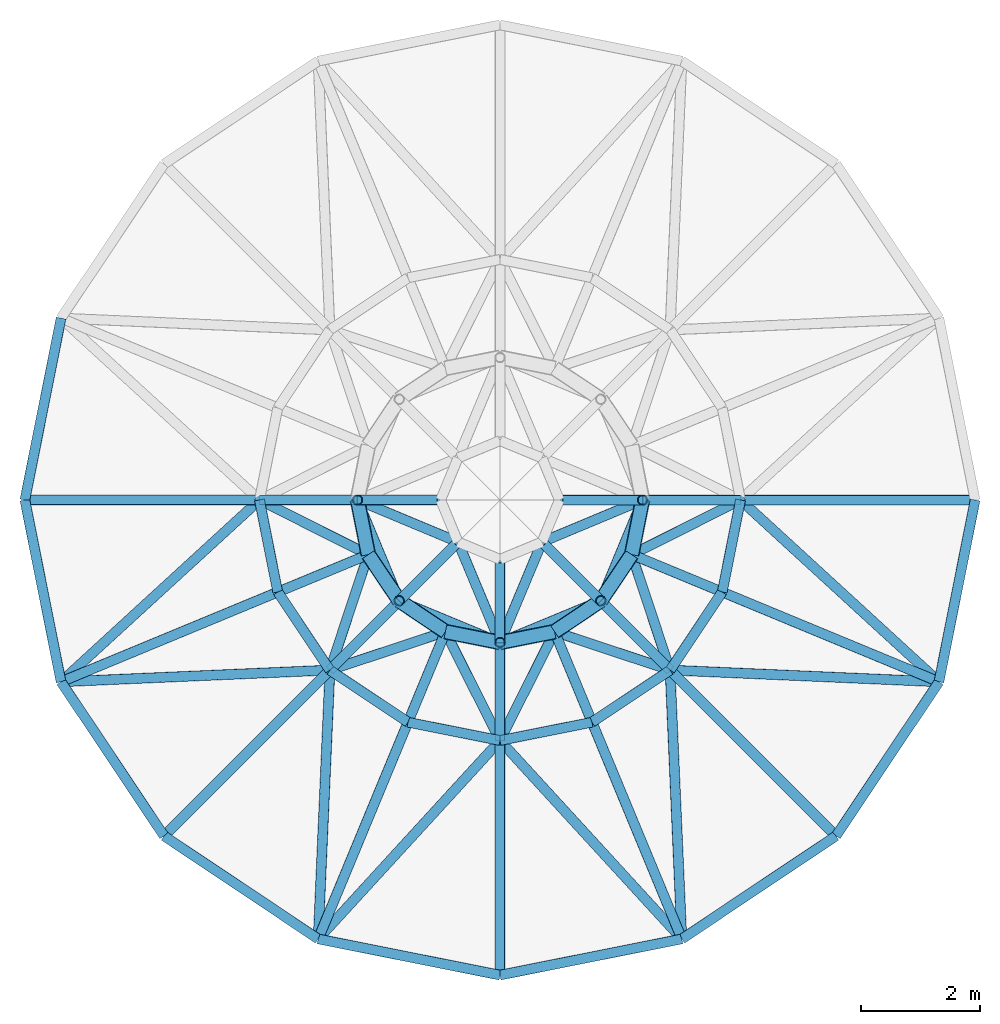
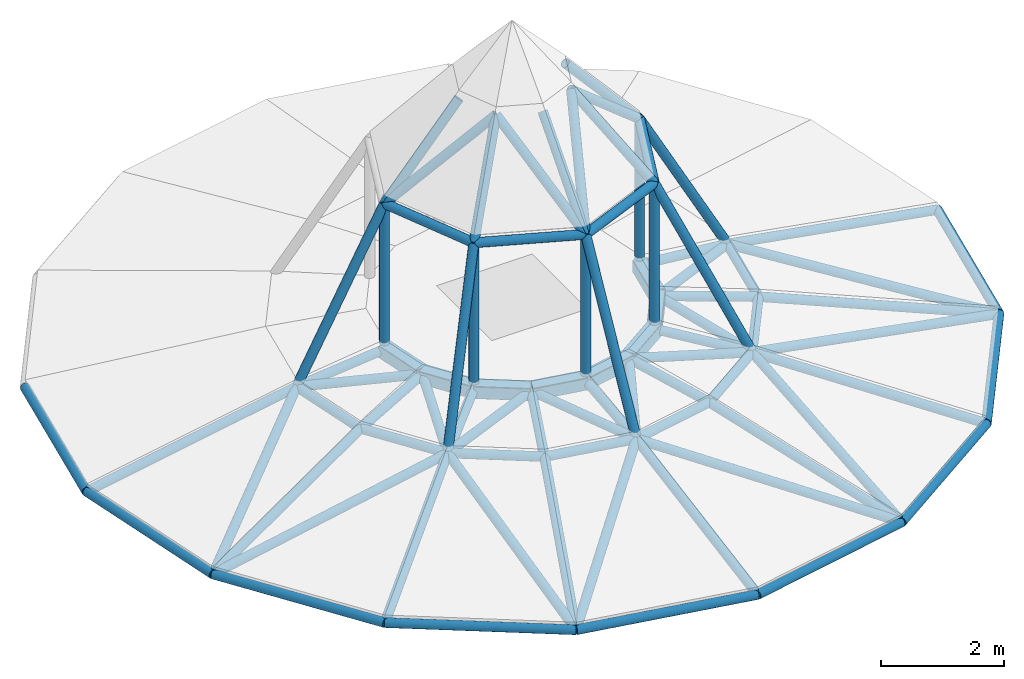
# One storey, part 1 of 4: 82 members.
"""IFC4 building model written with IfcOpenShell, lengths in metres."""

from ifc_helpers import new_model, si_unit, direction, frame, origin, origin_2d, place, context, subcontext, project, spatial, hollow_rectangle, hollow_circle, extrude, material, material_profile, profile_set, type_object, element, save


model = new_model("IFC4")

# Units and contexts
model_context = context("Model", 3, precision=1e-05, world=origin(), true_north=direction((0.0, 1.0)))
body_context = subcontext(model_context, "Body", "Model", "MODEL_VIEW")
ifc_project = project(units=[si_unit("LENGTHUNIT", "METRE"), si_unit("AREAUNIT", "SQUARE_METRE"), si_unit("VOLUMEUNIT", "CUBIC_METRE"), si_unit("PLANEANGLEUNIT", "RADIAN"), si_unit("MASSUNIT", "GRAM", prefix="KILO")], contexts=[model_context])

# Site, building, storey
site_placement = place(None, origin())
site = spatial("IfcSite", under=ifc_project, at=site_placement, CompositionType="ELEMENT")
building_placement = place(site_placement, origin())
building = spatial("IfcBuilding", under=site, at=building_placement, Name="Kupolbacken Congress Centre", CompositionType="ELEMENT")
storey_placement = place(building_placement, frame((0.0, 0.0, 37.10009765625)))
storey = spatial("IfcBuildingStorey", under=building, at=storey_placement, Name="ROOF", CompositionType="ELEMENT", Elevation=37.10009765625)

# Members
ifc_material_1 = material(Name="Steel S355", Category="steel")
ifc_material_profile_1 = material_profile(ifc_material_1, hollow_rectangle(XDim=0.25, YDim=0.25, WallThickness=0.012451171875, InnerFilletRadius=0.012451171875, OuterFilletRadius=0.018798828125, at=origin_2d()), Name="SHS 250 x 250 x 12.5")
ifc_profile_set_1 = profile_set([ifc_material_profile_1], Name="Steel S355")
member_type_1 = type_object("IfcMemberType", Name="M11 dome crown ring SHS 250 x 250 x 12.5", PredefinedType="CHORD", material=ifc_profile_set_1)
member_1_placement = place(storey_placement, frame((40.800048828125, 86.39990234375, 1.81591796875), z_axis=(0.195012996379, -0.98080065826, 0.0), x_axis=(0.98080065826, 0.195012996379, 0.0)))
element("IfcMember", 1, at=member_1_placement, inside=storey, type_object=member_type_1, Name="DM/RNG07-09", PredefinedType="CHORD", context=body_context, shape_type="SweptSolid", body=[
    extrude(hollow_rectangle(XDim=0.25, YDim=0.25, WallThickness=0.012451171875, InnerFilletRadius=0.012451171875, OuterFilletRadius=0.018798828125, at=origin_2d()), origin(), (0.0, 0.0, 1.0), 0.9365234375),
])
for number, where, z_axis, x_axis, name in (
    (2, (40.982666015625, 85.4814453125, 1.81591796875), (0.555602375309, -0.831448134613, 0.0), (0.831448134613, 0.555602375309, 0.0), "DM/RNG07-10"),
    (3, (41.5029296875, 84.702880859375, 1.81591796875), (0.831448134613, -0.555602375309, 0.0), (0.555602375309, 0.831448134613, 0.0), "DM/RNG07-11"),
):
    element("IfcMember", number, at=place(storey_placement, frame(where, z_axis=z_axis, x_axis=x_axis)), inside=storey, type_object=member_type_1, Name=name, PredefinedType="CHORD", context=body_context, shape_type="SweptSolid", body=[
        extrude(hollow_rectangle(XDim=0.25, YDim=0.25, WallThickness=0.012451171875, InnerFilletRadius=0.012451171875, OuterFilletRadius=0.018798828125, at=origin_2d()), origin(), (0.0, 0.0, 1.0), 0.936279296875),
    ])
for number, where, z_axis, x_axis, name in (
    (4, (42.281494140625, 84.1826171875, 1.81591796875), (0.98080065826, -0.195012996379, 0.0), (0.195012996379, 0.98080065826, 0.0), "DM/RNG07-12"),
    (5, (43.199951171875, 84.0, 1.81591796875), (0.98080065826, 0.195012996379, 0.0), (-0.195012996379, 0.98080065826, 0.0), "DM/RNG07-13"),
):
    element("IfcMember", number, at=place(storey_placement, frame(where, z_axis=z_axis, x_axis=x_axis)), inside=storey, type_object=member_type_1, Name=name, PredefinedType="CHORD", context=body_context, shape_type="SweptSolid", body=[
        extrude(hollow_rectangle(XDim=0.25, YDim=0.25, WallThickness=0.012451171875, InnerFilletRadius=0.012451171875, OuterFilletRadius=0.018798828125, at=origin_2d()), origin(), (0.0, 0.0, 1.0), 0.9365234375),
    ])
for number, where, z_axis, x_axis, name in (
    (6, (44.118408203125, 84.1826171875, 1.81591796875), (0.831448134613, 0.555602375309, 0.0), (-0.555602375309, 0.831448134613, 0.0), "DM/RNG07-14"),
    (7, (44.89697265625, 84.702880859375, 1.81591796875), (0.555602375309, 0.831448134613, 0.0), (-0.831448134613, 0.555602375309, 0.0), "DM/RNG07-15"),
):
    element("IfcMember", number, at=place(storey_placement, frame(where, z_axis=z_axis, x_axis=x_axis)), inside=storey, type_object=member_type_1, Name=name, PredefinedType="CHORD", context=body_context, shape_type="SweptSolid", body=[
        extrude(hollow_rectangle(XDim=0.25, YDim=0.25, WallThickness=0.012451171875, InnerFilletRadius=0.012451171875, OuterFilletRadius=0.018798828125, at=origin_2d()), origin(), (0.0, 0.0, 1.0), 0.936279296875),
    ])
member_2_placement = place(storey_placement, frame((45.417236328125, 85.4814453125, 1.81591796875), z_axis=(0.195263774891, 0.980750762536, 0.0), x_axis=(-0.980750762536, 0.195263774891, 0.0)))
element("IfcMember", 8, at=member_2_placement, inside=storey, type_object=member_type_1, Name="DM/RNG07-16", PredefinedType="CHORD", context=body_context, shape_type="SweptSolid", body=[
    extrude(hollow_rectangle(XDim=0.25, YDim=0.25, WallThickness=0.012451171875, InnerFilletRadius=0.012451171875, OuterFilletRadius=0.018798828125, at=origin_2d()), origin(), (0.0, 0.0, 1.0), 0.9365234375),
])
ifc_material_2 = material(Name="Steel S355", Category="steel")
ifc_material_profile_2 = material_profile(ifc_material_2, hollow_circle(Radius=0.084228515625, WallThickness=0.008056640625, at=origin_2d()), Name="CHS 168.3 x 8")
ifc_profile_set_2 = profile_set([ifc_material_profile_2], Name="Steel S355")
member_type_2 = type_object("IfcMemberType", Name="M16 dome rib CHS 168.3 x 8", PredefinedType="BRACE", material=ifc_profile_set_2)
for number, where, z_axis, x_axis, name in (
    (9, (51.199951171875, 86.39990234375, 0.949951171875), (-0.984659546104, 0.0, 0.17448661343), (0.0, -1.0, 0.0), "DM/RIB06-01"),
    (10, (35.199951171875, 86.39990234375, 0.949951171875), (0.984659546104, 0.0, 0.17448661343), (0.0, 1.0, 0.0), "DM/RIB06-09"),
):
    element("IfcMember", number, at=place(storey_placement, frame(where, z_axis=z_axis, x_axis=x_axis)), inside=storey, type_object=member_type_2, Name=name, PredefinedType="BRACE", context=body_context, shape_type="SweptSolid", body=[
        extrude(hollow_circle(Radius=0.084228515625, WallThickness=0.008056640625, at=origin_2d()), origin(), (0.0, 0.0, 1.0), 4.011474609375),
    ])
member_3_placement = place(storey_placement, frame((35.80908203125, 83.338623046875, 0.949951171875), z_axis=(0.909711191009, 0.376799490435, 0.174492673086), x_axis=(-0.382670236475, 0.923884998318, 0.0)))
element("IfcMember", 11, at=member_3_placement, inside=storey, type_object=member_type_2, Name="DM/RIB06-10", PredefinedType="BRACE", context=body_context, shape_type="SweptSolid", body=[
    extrude(hollow_circle(Radius=0.084228515625, WallThickness=0.008056640625, at=origin_2d()), origin(), (0.0, 0.0, 1.0), 4.01123046875),
])
for number, where, z_axis, x_axis, name in (
    (12, (37.543212890625, 80.7431640625, 0.949951171875), (0.696258922236, 0.696258922236, 0.174490763116), (-0.707106781187, 0.707106781187, 0.0), "DM/RIB06-11"),
    (13, (40.138427734375, 79.009033203125, 0.949951171875), (0.376851709977, 0.909690327686, 0.17448867127), (-0.923863144559, 0.382722993986, 0.0), "DM/RIB06-12"),
):
    element("IfcMember", number, at=place(storey_placement, frame(where, z_axis=z_axis, x_axis=x_axis)), inside=storey, type_object=member_type_2, Name=name, PredefinedType="BRACE", context=body_context, shape_type="SweptSolid", body=[
        extrude(hollow_circle(Radius=0.084228515625, WallThickness=0.008056640625, at=origin_2d()), origin(), (0.0, 0.0, 1.0), 4.011474609375),
    ])
member_4_placement = place(storey_placement, frame((43.199951171875, 78.39990234375, 0.949951171875), z_axis=(0.0, 0.984661398866, 0.174476157636), x_axis=(-1.0, 0.0, 0.0)))
element("IfcMember", 14, at=member_4_placement, inside=storey, type_object=member_type_2, Name="DM/RIB06-13", PredefinedType="BRACE", context=body_context, shape_type="SweptSolid", body=[
    extrude(hollow_circle(Radius=0.084228515625, WallThickness=0.008056640625, at=origin_2d()), origin(), (0.0, 0.0, 1.0), 4.01171875),
])
for number, where, z_axis, x_axis, name in (
    (15, (46.261474609375, 79.009033203125, 0.949951171875), (-0.376851709977, 0.909690327686, 0.17448867127), (-0.923863144559, -0.382722993986, 0.0), "DM/RIB06-14"),
    (16, (48.85693359375, 80.7431640625, 0.949951171875), (-0.69629027767, 0.696229418455, 0.174483369118), (-0.707075876845, -0.707137684177, 0.0), "DM/RIB06-15"),
    (17, (50.591064453125, 83.338623046875, 0.949951171875), (-0.909721684381, 0.376778629114, 0.174483012384), (-0.382648384846, -0.92389404889, 0.0), "DM/RIB06-16"),
):
    element("IfcMember", number, at=place(storey_placement, frame(where, z_axis=z_axis, x_axis=x_axis)), inside=storey, type_object=member_type_2, Name=name, PredefinedType="BRACE", context=body_context, shape_type="SweptSolid", body=[
        extrude(hollow_circle(Radius=0.084228515625, WallThickness=0.008056640625, at=origin_2d()), origin(), (0.0, 0.0, 1.0), 4.011474609375),
    ])
member_5_placement = place(storey_placement, frame((47.25, 86.39990234375, 1.64990234375), z_axis=(-0.99497577778, 0.0, 0.100115940943), x_axis=(0.0, -1.0, 0.0)))
element("IfcMember", 18, at=member_5_placement, inside=storey, type_object=member_type_2, Name="DM/RIB07-01", PredefinedType="BRACE", context=body_context, shape_type="SweptSolid", body=[
    extrude(hollow_circle(Radius=0.084228515625, WallThickness=0.008056640625, at=origin_2d()), origin(), (0.0, 0.0, 1.0), 1.658203125),
])
member_6_placement = place(storey_placement, frame((39.14990234375, 86.39990234375, 1.64990234375), z_axis=(0.994977253165, 0.0, 0.100101277135), x_axis=(0.0, 1.0, 0.0)))
element("IfcMember", 19, at=member_6_placement, inside=storey, type_object=member_type_2, Name="DM/RIB07-09", PredefinedType="BRACE", context=body_context, shape_type="SweptSolid", body=[
    extrude(hollow_circle(Radius=0.084228515625, WallThickness=0.008056640625, at=origin_2d()), origin(), (0.0, 0.0, 1.0), 1.658447265625),
])
member_7_placement = place(storey_placement, frame((39.458251953125, 84.85009765625, 1.64990234375), z_axis=(0.919256386901, 0.380717010975, 0.100111201648), x_axis=(-0.382639293348, 0.923897814256, 0.0)))
element("IfcMember", 20, at=member_7_placement, inside=storey, type_object=member_type_2, Name="DM/RIB07-10", PredefinedType="BRACE", context=body_context, shape_type="SweptSolid", body=[
    extrude(hollow_circle(Radius=0.084228515625, WallThickness=0.008056640625, at=origin_2d()), origin(), (0.0, 0.0, 1.0), 1.658203125),
])
member_8_placement = place(storey_placement, frame((40.336181640625, 83.5361328125, 1.64990234375), z_axis=(0.703554669035, 0.703554669035, 0.100108218235), x_axis=(-0.707106781187, 0.707106781187, 0.0)))
element("IfcMember", 21, at=member_8_placement, inside=storey, type_object=member_type_2, Name="DM/RIB07-11", PredefinedType="BRACE", context=body_context, shape_type="SweptSolid", body=[
    extrude(hollow_circle(Radius=0.084228515625, WallThickness=0.008056640625, at=origin_2d()), origin(), (0.0, 0.0, 1.0), 1.658447265625),
])
for number, where, z_axis, x_axis, name in (
    (22, (41.650146484375, 82.658203125, 1.64990234375), (0.380717010975, 0.919256386901, 0.100111201648), (-0.923897814256, 0.382639293348, 0.0), "DM/RIB07-12"),
    (23, (43.199951171875, 82.35009765625, 1.64990234375), (0.0, 0.99497577778, 0.100115940943), (-1.0, 0.0, 0.0), "DM/RIB07-13"),
    (24, (44.749755859375, 82.658203125, 1.64990234375), (-0.380717010975, 0.919256386901, 0.100111201648), (-0.923897814256, -0.382639293348, 0.0), "DM/RIB07-14"),
):
    element("IfcMember", number, at=place(storey_placement, frame(where, z_axis=z_axis, x_axis=x_axis)), inside=storey, type_object=member_type_2, Name=name, PredefinedType="BRACE", context=body_context, shape_type="SweptSolid", body=[
        extrude(hollow_circle(Radius=0.084228515625, WallThickness=0.008056640625, at=origin_2d()), origin(), (0.0, 0.0, 1.0), 1.658203125),
    ])
member_9_placement = place(storey_placement, frame((46.063720703125, 83.5361328125, 1.64990234375), z_axis=(-0.703554669035, 0.703554669035, 0.100108218235), x_axis=(-0.707106781187, -0.707106781187, 0.0)))
element("IfcMember", 25, at=member_9_placement, inside=storey, type_object=member_type_2, Name="DM/RIB07-15", PredefinedType="BRACE", context=body_context, shape_type="SweptSolid", body=[
    extrude(hollow_circle(Radius=0.084228515625, WallThickness=0.008056640625, at=origin_2d()), origin(), (0.0, 0.0, 1.0), 1.658447265625),
])
member_10_placement = place(storey_placement, frame((46.941650390625, 84.85009765625, 1.64990234375), z_axis=(-0.919256386901, 0.380717010975, 0.100111201648), x_axis=(-0.382639293348, -0.923897814256, 0.0)))
element("IfcMember", 26, at=member_10_placement, inside=storey, type_object=member_type_2, Name="DM/RIB07-16", PredefinedType="BRACE", context=body_context, shape_type="SweptSolid", body=[
    extrude(hollow_circle(Radius=0.084228515625, WallThickness=0.008056640625, at=origin_2d()), origin(), (0.0, 0.0, 1.0), 1.658203125),
])
member_11_placement = place(storey_placement, frame((39.14990234375, 86.39990234375, 1.64990234375), z_axis=(-0.728637512657, -0.667669232038, -0.152660314878), x_axis=(0.67558798806, -0.737279370652, 0.0)))
element("IfcMember", 27, at=member_11_placement, inside=storey, type_object=member_type_2, Name="DM/DIA06-09", PredefinedType="BRACE", context=body_context, shape_type="SweptSolid", body=[
    extrude(hollow_circle(Radius=0.084228515625, WallThickness=0.008056640625, at=origin_2d()), origin(), (0.0, 0.0, 1.0), 4.5849609375),
])
for number, where, z_axis, x_axis, name in (
    (28, (35.80908203125, 83.338623046875, 0.949951171875), (0.987340133509, 0.043075994608, 0.152656213276), (-0.043586860795, 0.999049641192, 0.0), "DM/DIA06-10"),
    (29, (40.336181640625, 83.5361328125, 1.64990234375), (-0.043129141601, -0.98733786753, -0.152655862925), (0.999047293633, -0.043640635703, 0.0), "DM/DIA06-11"),
):
    element("IfcMember", number, at=place(storey_placement, frame(where, z_axis=z_axis, x_axis=x_axis)), inside=storey, type_object=member_type_2, Name=name, PredefinedType="BRACE", context=body_context, shape_type="SweptSolid", body=[
        extrude(hollow_circle(Radius=0.084228515625, WallThickness=0.008056640625, at=origin_2d()), origin(), (0.0, 0.0, 1.0), 4.585205078125),
    ])
for number, where, z_axis, x_axis, name in (
    (30, (40.138427734375, 79.009033203125, 0.949951171875), (0.667672838113, 0.728636586091, 0.15264896546), (-0.737277125255, 0.675590438487, 0.0), "DM/DIA06-12"),
    (31, (43.199951171875, 82.35009765625, 1.64990234375), (0.667672838113, -0.728636586091, -0.15264896546), (0.737277125255, 0.675590438487, 0.0), "DM/DIA06-13"),
):
    element("IfcMember", number, at=place(storey_placement, frame(where, z_axis=z_axis, x_axis=x_axis)), inside=storey, type_object=member_type_2, Name=name, PredefinedType="BRACE", context=body_context, shape_type="SweptSolid", body=[
        extrude(hollow_circle(Radius=0.084228515625, WallThickness=0.008056640625, at=origin_2d()), origin(), (0.0, 0.0, 1.0), 4.58544921875),
    ])
member_12_placement = place(storey_placement, frame((46.261474609375, 79.009033203125, 0.949951171875), z_axis=(-0.043129141601, 0.98733786753, 0.152655862925), x_axis=(-0.999047293633, -0.043640635703, 0.0)))
element("IfcMember", 32, at=member_12_placement, inside=storey, type_object=member_type_2, Name="DM/DIA06-14", PredefinedType="BRACE", context=body_context, shape_type="SweptSolid", body=[
    extrude(hollow_circle(Radius=0.084228515625, WallThickness=0.008056640625, at=origin_2d()), origin(), (0.0, 0.0, 1.0), 4.585205078125),
])
member_13_placement = place(storey_placement, frame((46.063720703125, 83.5361328125, 1.64990234375), z_axis=(0.987341473043, -0.043073730139, -0.152648188267), x_axis=(0.043584514804, 0.999049743541, 0.0)))
element("IfcMember", 33, at=member_13_placement, inside=storey, type_object=member_type_2, Name="DM/DIA06-15", PredefinedType="BRACE", context=body_context, shape_type="SweptSolid", body=[
    extrude(hollow_circle(Radius=0.084228515625, WallThickness=0.008056640625, at=origin_2d()), origin(), (0.0, 0.0, 1.0), 4.58544921875),
])
member_14_placement = place(storey_placement, frame((50.591064453125, 83.338623046875, 0.949951171875), z_axis=(-0.72866248889, 0.667643328329, 0.152654392082), x_axis=(-0.675561151737, -0.737303960564, 0.0)))
element("IfcMember", 34, at=member_14_placement, inside=storey, type_object=member_type_2, Name="DM/DIA06-16", PredefinedType="BRACE", context=body_context, shape_type="SweptSolid", body=[
    extrude(hollow_circle(Radius=0.084228515625, WallThickness=0.008056640625, at=origin_2d()), origin(), (0.0, 0.0, 1.0), 4.585205078125),
])
for number, where, z_axis, x_axis, name in (
    (35, (39.14990234375, 86.39990234375, 1.64990234375), (0.891104688517, -0.446561321194, 0.080718154814), (0.448023236226, 0.894021912372, 0.0), "DM/DIA07-09"),
    (36, (40.982666015625, 85.4814453125, 1.81591796875), (-0.314340973238, -0.945871931556, -0.080722002191), (0.948968744467, -0.315370134959, 0.0), "DM/DIA07-10"),
    (37, (40.336181640625, 83.5361328125, 1.64990234375), (0.945871931556, 0.314340973238, 0.080722002191), (-0.315370134959, 0.948968744467, 0.0), "DM/DIA07-11"),
):
    element("IfcMember", number, at=place(storey_placement, frame(where, z_axis=z_axis, x_axis=x_axis)), inside=storey, type_object=member_type_2, Name=name, PredefinedType="BRACE", context=body_context, shape_type="SweptSolid", body=[
        extrude(hollow_circle(Radius=0.084228515625, WallThickness=0.008056640625, at=origin_2d()), origin(), (0.0, 0.0, 1.0), 2.056640625),
    ])
for number, where, z_axis, x_axis, name in (
    (38, (42.281494140625, 84.1826171875, 1.81591796875), (0.446608561437, -0.891080239806, -0.080726693721), (0.89399800388, 0.448070941993, 0.0), "DM/DIA07-12"),
    (39, (43.199951171875, 82.35009765625, 1.64990234375), (0.446608561437, 0.891080239806, 0.080726693721), (-0.89399800388, 0.448070941993, 0.0), "DM/DIA07-13"),
):
    element("IfcMember", number, at=place(storey_placement, frame(where, z_axis=z_axis, x_axis=x_axis)), inside=storey, type_object=member_type_2, Name=name, PredefinedType="BRACE", context=body_context, shape_type="SweptSolid", body=[
        extrude(hollow_circle(Radius=0.084228515625, WallThickness=0.008056640625, at=origin_2d()), origin(), (0.0, 0.0, 1.0), 2.056396484375),
    ])
for number, where, z_axis, x_axis, name in (
    (40, (44.118408203125, 84.1826171875, 1.81591796875), (0.945871931556, -0.314340973238, -0.080722002191), (0.315370134959, 0.948968744467, 0.0), "DM/DIA07-14"),
    (41, (46.063720703125, 83.5361328125, 1.64990234375), (-0.314340973238, 0.945871931556, 0.080722002191), (-0.948968744467, -0.315370134959, 0.0), "DM/DIA07-15"),
    (42, (45.417236328125, 85.4814453125, 1.81591796875), (0.891104688517, 0.446561321194, -0.080718154814), (-0.448023236226, 0.894021912372, 0.0), "DM/DIA07-16"),
):
    element("IfcMember", number, at=place(storey_placement, frame(where, z_axis=z_axis, x_axis=x_axis)), inside=storey, type_object=member_type_2, Name=name, PredefinedType="BRACE", context=body_context, shape_type="SweptSolid", body=[
        extrude(hollow_circle(Radius=0.084228515625, WallThickness=0.008056640625, at=origin_2d()), origin(), (0.0, 0.0, 1.0), 2.056640625),
    ])
ifc_material_3 = material(Name="Steel S355", Category="steel")
ifc_material_profile_3 = material_profile(ifc_material_3, hollow_circle(Radius=0.084228515625, WallThickness=0.008056640625, at=origin_2d()), Name="CHS 168.3 x 8")
ifc_profile_set_3 = profile_set([ifc_material_profile_3], Name="Steel S355")
member_type_3 = type_object("IfcMemberType", Name="M17 dome ring CHS 168.3 x 8", PredefinedType="BRACE", material=ifc_profile_set_3)
member_15_placement = place(storey_placement, frame((35.80908203125, 89.46142578125, 0.949951171875), z_axis=(-0.195138390419, -0.980775717779, 0.0), x_axis=(0.980775717779, -0.195138390419, 0.0)))
element("IfcMember", 43, at=member_15_placement, inside=storey, type_object=member_type_3, Name="DM/RNG05-08", PredefinedType="BRACE", context=body_context, shape_type="SweptSolid", body=[
    extrude(hollow_circle(Radius=0.084228515625, WallThickness=0.008056640625, at=origin_2d()), origin(), (0.0, 0.0, 1.0), 3.12158203125),
])
member_16_placement = place(storey_placement, frame((35.199951171875, 86.39990234375, 0.949951171875), z_axis=(0.195153360262, -0.98077273921, 0.0), x_axis=(0.98077273921, 0.195153360262, 0.0)))
element("IfcMember", 44, at=member_16_placement, inside=storey, type_object=member_type_3, Name="DM/RNG05-09", PredefinedType="BRACE", context=body_context, shape_type="SweptSolid", body=[
    extrude(hollow_circle(Radius=0.084228515625, WallThickness=0.008056640625, at=origin_2d()), origin(), (0.0, 0.0, 1.0), 3.121337890625),
])
member_17_placement = place(storey_placement, frame((35.80908203125, 83.338623046875, 0.949951171875), z_axis=(0.555548220115, -0.831484320434, 0.0), x_axis=(0.831484320434, 0.555548220115, 0.0)))
element("IfcMember", 45, at=member_17_placement, inside=storey, type_object=member_type_3, Name="DM/RNG05-10", PredefinedType="BRACE", context=body_context, shape_type="SweptSolid", body=[
    extrude(hollow_circle(Radius=0.084228515625, WallThickness=0.008056640625, at=origin_2d()), origin(), (0.0, 0.0, 1.0), 3.12158203125),
])
member_18_placement = place(storey_placement, frame((37.543212890625, 80.7431640625, 0.949951171875), z_axis=(0.831460178846, -0.555584350926, 0.0), x_axis=(0.555584350926, 0.831460178846, 0.0)))
element("IfcMember", 46, at=member_18_placement, inside=storey, type_object=member_type_3, Name="DM/RNG05-11", PredefinedType="BRACE", context=body_context, shape_type="SweptSolid", body=[
    extrude(hollow_circle(Radius=0.084228515625, WallThickness=0.008056640625, at=origin_2d()), origin(), (0.0, 0.0, 1.0), 3.121337890625),
])
for number, where, z_axis, x_axis, name in (
    (47, (40.138427734375, 79.009033203125, 0.949951171875), (0.980775717779, -0.195138390419, 0.0), (0.195138390419, 0.980775717779, 0.0), "DM/RNG05-12"),
    (48, (43.199951171875, 78.39990234375, 0.949951171875), (0.980775717779, 0.195138390419, 0.0), (-0.195138390419, 0.980775717779, 0.0), "DM/RNG05-13"),
    (49, (46.261474609375, 79.009033203125, 0.949951171875), (0.831484320434, 0.555548220115, 0.0), (-0.555548220115, 0.831484320434, 0.0), "DM/RNG05-14"),
    (50, (48.85693359375, 80.7431640625, 0.949951171875), (0.555548220115, 0.831484320434, 0.0), (-0.831484320434, 0.555548220115, 0.0), "DM/RNG05-15"),
):
    element("IfcMember", number, at=place(storey_placement, frame(where, z_axis=z_axis, x_axis=x_axis)), inside=storey, type_object=member_type_3, Name=name, PredefinedType="BRACE", context=body_context, shape_type="SweptSolid", body=[
        extrude(hollow_circle(Radius=0.084228515625, WallThickness=0.008056640625, at=origin_2d()), origin(), (0.0, 0.0, 1.0), 3.12158203125),
    ])
member_19_placement = place(storey_placement, frame((50.591064453125, 83.338623046875, 0.949951171875), z_axis=(0.195078119671, 0.980787707522, 0.0), x_axis=(-0.980787707522, 0.195078119671, 0.0)))
element("IfcMember", 51, at=member_19_placement, inside=storey, type_object=member_type_3, Name="DM/RNG05-16", PredefinedType="BRACE", context=body_context, shape_type="SweptSolid", body=[
    extrude(hollow_circle(Radius=0.084228515625, WallThickness=0.008056640625, at=origin_2d()), origin(), (0.0, 0.0, 1.0), 3.121337890625),
])
member_20_placement = place(storey_placement, frame((39.14990234375, 86.39990234375, 1.64990234375), z_axis=(0.195135546048, -0.9807762837, 0.0), x_axis=(0.9807762837, 0.195135546048, 0.0)))
element("IfcMember", 52, at=member_20_placement, inside=storey, type_object=member_type_3, Name="DM/RNG06-09", PredefinedType="BRACE", context=body_context, shape_type="SweptSolid", body=[
    extrude(hollow_circle(Radius=0.084228515625, WallThickness=0.008056640625, at=origin_2d()), origin(), (0.0, 0.0, 1.0), 1.580078125),
])
for number, where, z_axis, x_axis, name in (
    (53, (39.458251953125, 84.85009765625, 1.64990234375), (0.555555554495, -0.831479419992, 0.0), (0.831479419992, 0.555555554495, 0.0), "DM/RNG06-10"),
    (54, (40.336181640625, 83.5361328125, 1.64990234375), (0.831479419992, -0.555555554495, 0.0), (0.555555554495, 0.831479419992, 0.0), "DM/RNG06-11"),
):
    element("IfcMember", number, at=place(storey_placement, frame(where, z_axis=z_axis, x_axis=x_axis)), inside=storey, type_object=member_type_3, Name=name, PredefinedType="BRACE", context=body_context, shape_type="SweptSolid", body=[
        extrude(hollow_circle(Radius=0.084228515625, WallThickness=0.008056640625, at=origin_2d()), origin(), (0.0, 0.0, 1.0), 1.580322265625),
    ])
for number, where, z_axis, x_axis, name in (
    (55, (41.650146484375, 82.658203125, 1.64990234375), (0.980805842517, -0.194986920803, 0.0), (0.194986920803, 0.980805842517, 0.0), "DM/RNG06-12"),
    (56, (43.199951171875, 82.35009765625, 1.64990234375), (0.980805842517, 0.194986920803, 0.0), (-0.194986920803, 0.980805842517, 0.0), "DM/RNG06-13"),
):
    element("IfcMember", number, at=place(storey_placement, frame(where, z_axis=z_axis, x_axis=x_axis)), inside=storey, type_object=member_type_3, Name=name, PredefinedType="BRACE", context=body_context, shape_type="SweptSolid", body=[
        extrude(hollow_circle(Radius=0.084228515625, WallThickness=0.008056640625, at=origin_2d()), origin(), (0.0, 0.0, 1.0), 1.580078125),
    ])
for number, where, z_axis, x_axis, name in (
    (57, (44.749755859375, 82.658203125, 1.64990234375), (0.831479419992, 0.555555554495, 0.0), (-0.555555554495, 0.831479419992, 0.0), "DM/RNG06-14"),
    (58, (46.063720703125, 83.5361328125, 1.64990234375), (0.555555554495, 0.831479419992, 0.0), (-0.831479419992, 0.555555554495, 0.0), "DM/RNG06-15"),
):
    element("IfcMember", number, at=place(storey_placement, frame(where, z_axis=z_axis, x_axis=x_axis)), inside=storey, type_object=member_type_3, Name=name, PredefinedType="BRACE", context=body_context, shape_type="SweptSolid", body=[
        extrude(hollow_circle(Radius=0.084228515625, WallThickness=0.008056640625, at=origin_2d()), origin(), (0.0, 0.0, 1.0), 1.580322265625),
    ])
member_21_placement = place(storey_placement, frame((46.941650390625, 84.85009765625, 1.64990234375), z_axis=(0.195135546048, 0.9807762837, 0.0), x_axis=(-0.9807762837, 0.195135546048, 0.0)))
element("IfcMember", 59, at=member_21_placement, inside=storey, type_object=member_type_3, Name="DM/RNG06-16", PredefinedType="BRACE", context=body_context, shape_type="SweptSolid", body=[
    extrude(hollow_circle(Radius=0.084228515625, WallThickness=0.008056640625, at=origin_2d()), origin(), (0.0, 0.0, 1.0), 1.580078125),
])
ifc_material_4 = material(Name="Steel S355", Category="steel")
ifc_material_profile_4 = material_profile(ifc_material_4, hollow_circle(Radius=0.084228515625, WallThickness=0.008056640625, at=origin_2d()), Name="CHS 168.3 x 8")
ifc_profile_set_4 = profile_set([ifc_material_profile_4], Name="Steel S355")
member_type_4 = type_object("IfcMemberType", Name="M18 lantern rib CHS 168.3 x 8", PredefinedType="BRACE", material=ifc_profile_set_4)
for number, where, z_axis, x_axis, name in (
    (60, (45.60009765625, 86.39990234375, 1.930908203125), (0.0, 0.0, 1.0), (1.0, 0.0, 0.0), "DM/LAN/POST01"),
    (61, (40.800048828125, 86.39990234375, 1.930908203125), (0.0, 0.0, 1.0), (1.0, 0.0, 0.0), "DM/LAN/POST05"),
    (62, (41.5029296875, 84.702880859375, 1.930908203125), (0.0, 0.0, 1.0), (1.0, 0.0, 0.0), "DM/LAN/POST06"),
    (63, (43.199951171875, 84.0, 1.930908203125), (0.0, 0.0, 1.0), (1.0, 0.0, 0.0), "DM/LAN/POST07"),
    (64, (44.89697265625, 84.702880859375, 1.930908203125), (0.0, 0.0, 1.0), (1.0, 0.0, 0.0), "DM/LAN/POST08"),
):
    element("IfcMember", number, at=place(storey_placement, frame(where, z_axis=z_axis, x_axis=x_axis)), inside=storey, type_object=member_type_4, Name=name, PredefinedType="BRACE", context=body_context, shape_type="SweptSolid", body=[
        extrude(hollow_circle(Radius=0.084228515625, WallThickness=0.008056640625, at=origin_2d()), origin(), (0.0, 0.0, 1.0), 2.710205078125),
    ])
member_22_placement = place(storey_placement, frame((47.25, 86.39990234375, 1.659912109375), z_axis=(-0.475172867458, 0.0, 0.879892462766), x_axis=(0.0, -1.0, 0.0)))
element("IfcMember", 65, at=member_22_placement, inside=storey, type_object=member_type_4, Name="DM/LAN/STRUT01", PredefinedType="BRACE", context=body_context, shape_type="SweptSolid", body=[
    extrude(hollow_circle(Radius=0.084228515625, WallThickness=0.008056640625, at=origin_2d()), origin(), (0.0, 0.0, 1.0), 3.47216796875),
])
member_23_placement = place(storey_placement, frame((39.14990234375, 86.39990234375, 1.659912109375), z_axis=(0.475227301537, 0.0, 0.879863064274), x_axis=(0.0, 1.0, 0.0)))
element("IfcMember", 66, at=member_23_placement, inside=storey, type_object=member_type_4, Name="DM/LAN/STRUT05", PredefinedType="BRACE", context=body_context, shape_type="SweptSolid", body=[
    extrude(hollow_circle(Radius=0.084228515625, WallThickness=0.008056640625, at=origin_2d()), origin(), (0.0, 0.0, 1.0), 3.472412109375),
])
for number, where, z_axis, x_axis, name in (
    (67, (40.336181640625, 83.5361328125, 1.659912109375), (0.336018227063, 0.336018227063, 0.879876981266), (-0.707106781187, 0.707106781187, 0.0), "DM/LAN/STRUT06"),
    (68, (43.199951171875, 82.35009765625, 1.659912109375), (0.0, 0.475172867458, 0.879892462766), (-1.0, 0.0, 0.0), "DM/LAN/STRUT07"),
    (69, (46.063720703125, 83.5361328125, 1.659912109375), (-0.336018227063, 0.336018227063, 0.879876981266), (-0.707106781187, -0.707106781187, 0.0), "DM/LAN/STRUT08"),
):
    element("IfcMember", number, at=place(storey_placement, frame(where, z_axis=z_axis, x_axis=x_axis)), inside=storey, type_object=member_type_4, Name=name, PredefinedType="BRACE", context=body_context, shape_type="SweptSolid", body=[
        extrude(hollow_circle(Radius=0.084228515625, WallThickness=0.008056640625, at=origin_2d()), origin(), (0.0, 0.0, 1.0), 3.47216796875),
    ])
member_24_placement = place(storey_placement, frame((45.60009765625, 86.39990234375, 4.715087890625), z_axis=(-0.658520866109, 0.0, 0.752562468436), x_axis=(0.0, -1.0, 0.0)))
element("IfcMember", 70, at=member_24_placement, inside=storey, type_object=member_type_4, Name="DM/LAN/CAP/RIB01-01", PredefinedType="BRACE", context=body_context, shape_type="SweptSolid", body=[
    extrude(hollow_circle(Radius=0.084228515625, WallThickness=0.008056640625, at=origin_2d()), origin(), (0.0, 0.0, 1.0), 2.126220703125),
])
member_25_placement = place(storey_placement, frame((40.800048828125, 86.39990234375, 4.715087890625), z_axis=(0.658455827614, 0.0, 0.752619374639), x_axis=(0.0, 1.0, 0.0)))
element("IfcMember", 71, at=member_25_placement, inside=storey, type_object=member_type_4, Name="DM/LAN/CAP/RIB01-05", PredefinedType="BRACE", context=body_context, shape_type="SweptSolid", body=[
    extrude(hollow_circle(Radius=0.084228515625, WallThickness=0.008056640625, at=origin_2d()), origin(), (0.0, 0.0, 1.0), 2.1259765625),
])
member_26_placement = place(storey_placement, frame((41.5029296875, 84.702880859375, 4.715087890625), z_axis=(0.465627830921, 0.465627830921, 0.752583182209), x_axis=(-0.707106781187, 0.707106781187, 0.0)))
element("IfcMember", 72, at=member_26_placement, inside=storey, type_object=member_type_4, Name="DM/LAN/CAP/RIB01-06", PredefinedType="BRACE", context=body_context, shape_type="SweptSolid", body=[
    extrude(hollow_circle(Radius=0.084228515625, WallThickness=0.008056640625, at=origin_2d()), origin(), (0.0, 0.0, 1.0), 2.126220703125),
])
for number, where, z_axis, x_axis, name in (
    (73, (43.199951171875, 84.0, 4.715087890625), (0.0, 0.658455827614, 0.752619374639), (-1.0, 0.0, 0.0), "DM/LAN/CAP/RIB01-07"),
    (74, (44.89697265625, 84.702880859375, 4.715087890625), (-0.465537891428, 0.465652725639, 0.752623418949), (-0.707193976053, -0.707019575566, 0.0), "DM/LAN/CAP/RIB01-08"),
):
    element("IfcMember", number, at=place(storey_placement, frame(where, z_axis=z_axis, x_axis=x_axis)), inside=storey, type_object=member_type_4, Name=name, PredefinedType="BRACE", context=body_context, shape_type="SweptSolid", body=[
        extrude(hollow_circle(Radius=0.084228515625, WallThickness=0.008056640625, at=origin_2d()), origin(), (0.0, 0.0, 1.0), 2.1259765625),
    ])
for number, where, z_axis, x_axis, name in (
    (75, (40.800048828125, 86.39990234375, 4.715087890625), (0.695412347314, -0.29044046118, 0.657302065806), (0.385390086157, 0.922753749107, 0.0), "DM/LAN/CAP/DIA01-05"),
    (76, (42.492919921875, 85.69287109375, 6.315185546875), (0.29044046118, -0.695412347314, -0.657302065806), (0.922753749107, 0.385390086157, 0.0), "DM/LAN/CAP/DIA01-06"),
    (77, (43.199951171875, 84.0, 4.715087890625), (0.290532287335, 0.695392088498, 0.657282917221), (-0.922706419827, 0.385503388843, 0.0), "DM/LAN/CAP/DIA01-07"),
    (78, (43.9072265625, 85.69287109375, 6.315185546875), (0.695412347314, 0.29044046118, -0.657302065806), (-0.385390086157, 0.922753749107, 0.0), "DM/LAN/CAP/DIA01-08"),
):
    element("IfcMember", number, at=place(storey_placement, frame(where, z_axis=z_axis, x_axis=x_axis)), inside=storey, type_object=member_type_4, Name=name, PredefinedType="BRACE", context=body_context, shape_type="SweptSolid", body=[
        extrude(hollow_circle(Radius=0.084228515625, WallThickness=0.008056640625, at=origin_2d()), origin(), (0.0, 0.0, 1.0), 2.434326171875),
    ])
ifc_material_5 = material(Name="Steel S355", Category="steel")
ifc_material_profile_5 = material_profile(ifc_material_5, hollow_circle(Radius=0.084228515625, WallThickness=0.008056640625, at=origin_2d()), Name="CHS 168.3 x 8")
ifc_profile_set_5 = profile_set([ifc_material_profile_5], Name="Steel S355")
member_type_5 = type_object("IfcMemberType", Name="M19 lantern ring CHS 168.3 x 8", PredefinedType="BRACE", material=ifc_profile_set_5)
for number, where, z_axis, x_axis, name in (
    (79, (40.800048828125, 86.39990234375, 4.715087890625), (0.382660915668, -0.923888858911, 0.0), (0.923888858911, 0.382660915668, 0.0), "DM/LAN/CAP/RNG00-05"),
    (80, (41.5029296875, 84.702880859375, 4.715087890625), (0.923888858911, -0.382660915668, 0.0), (0.382660915668, 0.923888858911, 0.0), "DM/LAN/CAP/RNG00-06"),
    (81, (43.199951171875, 84.0, 4.715087890625), (0.923888858911, 0.382660915668, 0.0), (-0.382660915668, 0.923888858911, 0.0), "DM/LAN/CAP/RNG00-07"),
    (82, (44.89697265625, 84.702880859375, 4.715087890625), (0.382774358945, 0.923841864246, 0.0), (-0.923841864246, 0.382774358945, 0.0), "DM/LAN/CAP/RNG00-08"),
):
    element("IfcMember", number, at=place(storey_placement, frame(where, z_axis=z_axis, x_axis=x_axis)), inside=storey, type_object=member_type_5, Name=name, PredefinedType="BRACE", context=body_context, shape_type="SweptSolid", body=[
        extrude(hollow_circle(Radius=0.084228515625, WallThickness=0.008056640625, at=origin_2d()), origin(), (0.0, 0.0, 1.0), 1.8369140625),
    ])

save(model, "model.ifc")
